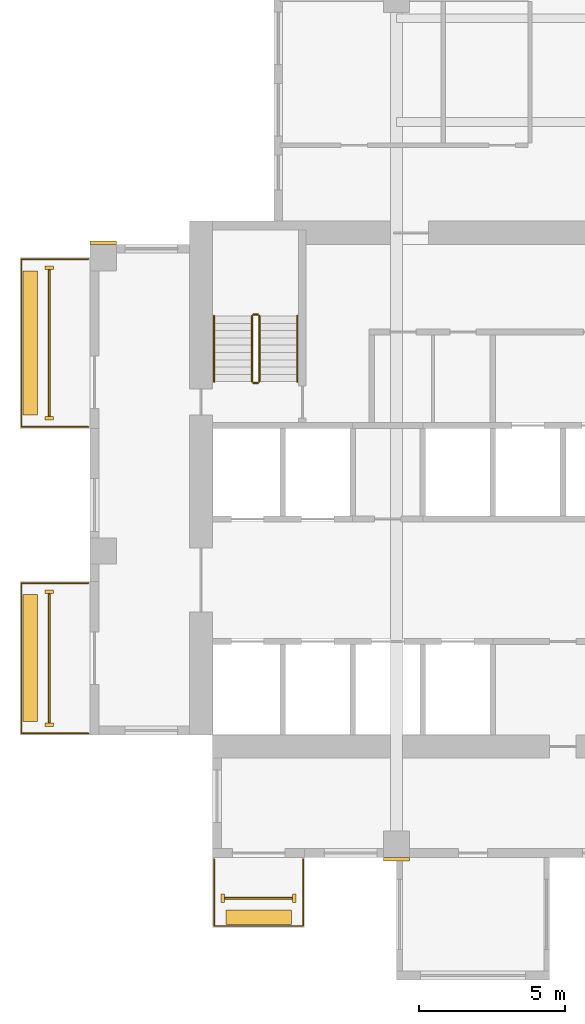
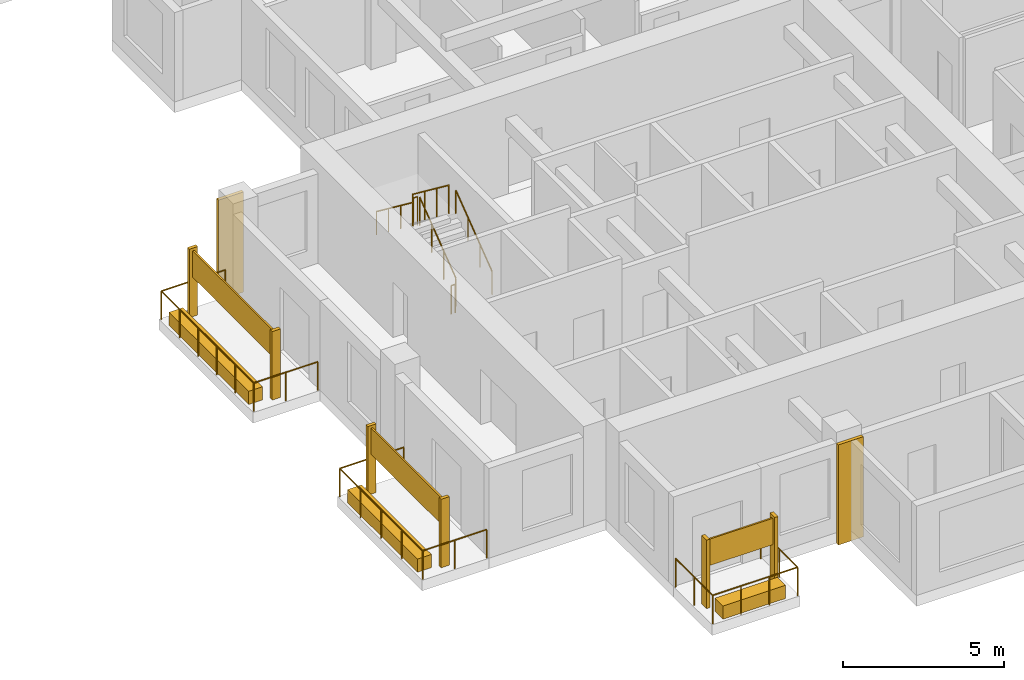
# One storey, part 9 of 11: 14 coverings, 9 railings.
"""IFC4 building model written with IfcOpenShell, lengths in metres."""

from ifc_helpers import new_model, si_unit, direction, frame, origin, origin_2d, place, context, subcontext, project, spatial, rectangle, circle, extrude, source, transform, mapped, material, type_object, element, save


model = new_model("IFC4")

# Units and contexts
model_context = context("Model", 3, precision=1e-05, world=origin(), true_north=direction((0.0, 1.0)))
body_context = subcontext(model_context, "Body", "Model", "MODEL_VIEW")
ifc_project = project(units=[si_unit("LENGTHUNIT", "METRE"), si_unit("AREAUNIT", "SQUARE_METRE"), si_unit("VOLUMEUNIT", "CUBIC_METRE"), si_unit("PLANEANGLEUNIT", "RADIAN"), si_unit("MASSUNIT", "GRAM", prefix="KILO")], contexts=[model_context])

# Site, building, storey
site_placement = place(None, origin())
site = spatial("IfcSite", under=ifc_project, at=site_placement, CompositionType="ELEMENT")
building_placement = place(site_placement, origin())
building = spatial("IfcBuilding", under=site, at=building_placement, Name="Aurelian Terraces", CompositionType="ELEMENT")
storey_placement = place(building_placement, frame((0.0, 0.0, 208.2)))
storey = spatial("IfcBuildingStorey", under=building, at=storey_placement, Name="L46", CompositionType="ELEMENT", Elevation=208.2)

# Railing
ifc_material_1 = material(Name="Anodised aluminium", Category="aluminium")
railing_type_1 = type_object("IfcRailingType", Name="GUARD-1100", PredefinedType="GUARDRAIL", material=ifc_material_1)
railing_1_placement = place(storey_placement, frame((-0.05, 20.5, 0.0)))
element("IfcRailing", 1, at=railing_1_placement, inside=storey, type_object=railing_type_1, Name="Balcony guard L46 F24.39", PredefinedType="GUARDRAIL", context=body_context, shape_type="SweptSolid", body=[
    extrude(circle(Radius=0.024, at=origin_2d()), frame((0.0, 0.0, 1.076), z_axis=(-1.0, 0.0, 0.0), x_axis=(0.0, -1.0, 0.0)), (0.0, 0.0, 1.0), 2.3),
    extrude(circle(Radius=0.024, at=origin_2d()), frame((-2.3, 0.0, 1.076), z_axis=(0.0, -1.0, 0.0), x_axis=(1.0, 0.0, 0.0)), (0.0, 0.0, 1.0), 5.75),
    extrude(circle(Radius=0.024, at=origin_2d()), frame((-2.3, -5.75, 1.076), z_axis=(1.0, 0.0, 0.0), x_axis=(0.0, 1.0, 0.0)), (0.0, 0.0, 1.0), 2.3),
    extrude(circle(Radius=0.021, at=origin_2d()), origin(), (0.0, 0.0, 1.0), 1.052),
    extrude(circle(Radius=0.021, at=origin_2d()), frame((-1.15, 0.0, 0.0)), (0.0, 0.0, 1.0), 1.052),
    extrude(circle(Radius=0.021, at=origin_2d()), frame((-2.3, 0.0, 0.0)), (0.0, 0.0, 1.0), 1.052),
    extrude(circle(Radius=0.021, at=origin_2d()), frame((-2.3, -1.15, 0.0)), (0.0, 0.0, 1.0), 1.052),
    extrude(circle(Radius=0.021, at=origin_2d()), frame((-2.3, -2.3, 0.0)), (0.0, 0.0, 1.0), 1.052),
    extrude(circle(Radius=0.021, at=origin_2d()), frame((-2.3, -3.45, 0.0)), (0.0, 0.0, 1.0), 1.052),
    extrude(circle(Radius=0.021, at=origin_2d()), frame((-2.3, -4.6, 0.0)), (0.0, 0.0, 1.0), 1.052),
    extrude(circle(Radius=0.021, at=origin_2d()), frame((-2.3, -5.75, 0.0)), (0.0, 0.0, 1.0), 1.052),
    extrude(circle(Radius=0.021, at=origin_2d()), frame((-1.15, -5.75, 0.0)), (0.0, 0.0, 1.0), 1.052),
    extrude(circle(Radius=0.021, at=origin_2d()), frame((0.0, -5.75, 0.0)), (0.0, 0.0, 1.0), 1.052),
])

# Coverings
ifc_material_2 = material(Name="Terracotta planter with planting soil", Category="masonry")
covering_type_1 = type_object("IfcCoveringType", Name="PLANTER-TROUGH", PredefinedType="USERDEFINED", material=ifc_material_2)
covering_1_placement = place(storey_placement, frame((-2.05, 17.625, 0.0), z_axis=(0.0, 0.0, 1.0), x_axis=(1.0, 0.0, 0.0)))
element("IfcCovering", 2, at=covering_1_placement, inside=storey, type_object=covering_type_1, Name="PLANTER L46 L46-F24-39", ObjectType="PLANTER", PredefinedType="USERDEFINED", context=body_context, shape_type="SweptSolid", body=[
    extrude(rectangle(XDim=0.5, YDim=4.95, at=origin_2d()), origin(), (0.0, 0.0, 1.0), 0.5),
])
ifc_material_3 = material(Name="Terracotta rainscreen cladding", Category="masonry")
covering_type_2 = type_object("IfcCoveringType", Name="SCREEN-TC", PredefinedType="CLADDING", material=ifc_material_3)
covering_2_placement = place(storey_placement, frame((-1.4, 17.625, 1.5), z_axis=(0.0, 0.0, 1.0), x_axis=(1.0, 0.0, 0.0)))
element("IfcCovering", 3, at=covering_2_placement, inside=storey, type_object=covering_type_2, Name="SCREEN L46 L46-F24-39", PredefinedType="CLADDING", context=body_context, shape_type="SweptSolid", body=[
    extrude(rectangle(XDim=0.06, YDim=5.03, at=origin_2d()), origin(), (0.0, 0.0, 1.0), 1.0),
])
ifc_material_4 = material(Name="Terracotta rainscreen cladding relief", Category="masonry")
covering_type_3 = type_object("IfcCoveringType", Name="FIN-TC", PredefinedType="CLADDING", material=ifc_material_4)
shared_shape_1 = source(origin(), body_context, "Body", "SweptSolid", [
    extrude(rectangle(XDim=0.3, YDim=0.12, at=origin_2d()), origin(), (0.0, 0.0, 1.0), 2.6),
])
for number, where, z_axis, x_axis, name in (
    (4, (-1.4, 20.2, 0.0), (0.0, 0.0, 1.0), (1.0, 0.0, 0.0), "FIN L46 L46-F24-39.1"),
    (5, (-1.4, 15.05, 0.0), (0.0, 0.0, 1.0), (1.0, 0.0, 0.0), "FIN L46 L46-F24-39.2"),
    (6, (-1.4, 9.1, 0.0), (0.0, 0.0, 1.0), (1.0, 0.0, 0.0), "FIN L46 L46-F24-41.1"),
    (7, (-1.4, 4.55, 0.0), (0.0, 0.0, 1.0), (1.0, 0.0, 0.0), "FIN L46 L46-F24-41.2"),
):
    element("IfcCovering", number, at=place(storey_placement, frame(where, z_axis=z_axis, x_axis=x_axis)), inside=storey, type_object=covering_type_3, Name=name, PredefinedType="CLADDING", context=body_context, shape_type="MappedRepresentation", body=[
        mapped(shared_shape_1, transform((0.0, 0.0, 0.0), scale=1.0)),
    ])
shared_shape_2 = source(origin(), body_context, "Body", "SweptSolid", [
    extrude(rectangle(XDim=0.12, YDim=0.3, at=origin_2d()), origin(), (0.0, 0.0, 1.0), 2.6),
])
for number, where, z_axis, x_axis, name in (
    (8, (4.55, -1.4, 0.0), (0.0, 0.0, 1.0), (1.0, 0.0, 0.0), "FIN L46 L46-F01-01.1"),
    (9, (7.0, -1.4, 0.0), (0.0, 0.0, 1.0), (1.0, 0.0, 0.0), "FIN L46 L46-F01-01.2"),
):
    element("IfcCovering", number, at=place(storey_placement, frame(where, z_axis=z_axis, x_axis=x_axis)), inside=storey, type_object=covering_type_3, Name=name, PredefinedType="CLADDING", context=body_context, shape_type="MappedRepresentation", body=[
        mapped(shared_shape_2, transform((0.0, 0.0, 0.0), scale=1.0)),
    ])

# Railing
shared_shape_3 = source(origin(), body_context, "Body", "SweptSolid", [
    extrude(circle(Radius=0.024, at=origin_2d()), frame((0.0, 0.0, 1.076), z_axis=(-1.0, 0.0, 0.0), x_axis=(0.0, -1.0, 0.0)), (0.0, 0.0, 1.0), 2.3),
    extrude(circle(Radius=0.024, at=origin_2d()), frame((-2.3, 0.0, 1.076), z_axis=(0.0, -1.0, 0.0), x_axis=(1.0, 0.0, 0.0)), (0.0, 0.0, 1.0), 5.15),
    extrude(circle(Radius=0.024, at=origin_2d()), frame((-2.3, -5.15, 1.076), z_axis=(1.0, 0.0, 0.0), x_axis=(0.0, 1.0, 0.0)), (0.0, 0.0, 1.0), 2.3),
    extrude(circle(Radius=0.021, at=origin_2d()), origin(), (0.0, 0.0, 1.0), 1.052),
    extrude(circle(Radius=0.021, at=origin_2d()), frame((-1.15, 0.0, 0.0)), (0.0, 0.0, 1.0), 1.052),
    extrude(circle(Radius=0.021, at=origin_2d()), frame((-2.3, 0.0, 0.0)), (0.0, 0.0, 1.0), 1.052),
    extrude(circle(Radius=0.021, at=origin_2d()), frame((-2.3, -1.2875, 0.0)), (0.0, 0.0, 1.0), 1.052),
    extrude(circle(Radius=0.021, at=origin_2d()), frame((-2.3, -2.575, 0.0)), (0.0, 0.0, 1.0), 1.052),
    extrude(circle(Radius=0.021, at=origin_2d()), frame((-2.3, -3.8625, 0.0)), (0.0, 0.0, 1.0), 1.052),
    extrude(circle(Radius=0.021, at=origin_2d()), frame((-2.3, -5.15, 0.0)), (0.0, 0.0, 1.0), 1.052),
    extrude(circle(Radius=0.021, at=origin_2d()), frame((-1.15, -5.15, 0.0)), (0.0, 0.0, 1.0), 1.052),
    extrude(circle(Radius=0.021, at=origin_2d()), frame((0.0, -5.15, 0.0)), (0.0, 0.0, 1.0), 1.052),
])
railing_2_placement = place(storey_placement, frame((-0.05, 9.4, 0.0)))
element("IfcRailing", 10, at=railing_2_placement, inside=storey, type_object=railing_type_1, Name="Balcony guard L46 F24.41", PredefinedType="GUARDRAIL", context=body_context, shape_type="MappedRepresentation", body=[
    mapped(shared_shape_3, transform((0.0, 0.0, 0.0), scale=1.0)),
])

# Coverings
shared_shape_4 = source(origin(), body_context, "Body", "SweptSolid", [
    extrude(rectangle(XDim=0.5, YDim=4.35, at=origin_2d()), origin(), (0.0, 0.0, 1.0), 0.5),
])
covering_3_placement = place(storey_placement, frame((-2.05, 6.825, 0.0), z_axis=(0.0, 0.0, 1.0), x_axis=(1.0, 0.0, 0.0)))
element("IfcCovering", 11, at=covering_3_placement, inside=storey, type_object=covering_type_1, Name="PLANTER L46 L46-F24-41", ObjectType="PLANTER", PredefinedType="USERDEFINED", context=body_context, shape_type="MappedRepresentation", body=[
    mapped(shared_shape_4, transform((0.0, 0.0, 0.0), scale=1.0)),
])
shared_shape_5 = source(origin(), body_context, "Body", "SweptSolid", [
    extrude(rectangle(XDim=0.06, YDim=4.43, at=origin_2d()), origin(), (0.0, 0.0, 1.0), 1.0),
])
covering_4_placement = place(storey_placement, frame((-1.4, 6.825, 1.5), z_axis=(0.0, 0.0, 1.0), x_axis=(1.0, 0.0, 0.0)))
element("IfcCovering", 12, at=covering_4_placement, inside=storey, type_object=covering_type_2, Name="SCREEN L46 L46-F24-41", PredefinedType="CLADDING", context=body_context, shape_type="MappedRepresentation", body=[
    mapped(shared_shape_5, transform((0.0, 0.0, 0.0), scale=1.0)),
])
covering_type_4 = type_object("IfcCoveringType", Name="BAGUETTE-TC", PredefinedType="CLADDING", material=ifc_material_4)
shared_shape_6 = source(origin(), body_context, "Body", "SweptSolid", [
    extrude(rectangle(XDim=0.9, YDim=0.12, at=origin_2d()), origin(), (0.0, 0.0, 1.0), 3.8),
])
for number, where, z_axis, x_axis, name in (
    (13, (10.5, -0.06, -0.4), (0.0, 0.0, 1.0), (1.0, 0.0, 0.0), "BAGUETTE pier L46 1"),
    (14, (0.45, 21.06, -0.4), (0.0, 0.0, 1.0), (1.0, 0.0, 0.0), "BAGUETTE pier L46 4"),
):
    element("IfcCovering", number, at=place(storey_placement, frame(where, z_axis=z_axis, x_axis=x_axis)), inside=storey, type_object=covering_type_4, Name=name, PredefinedType="CLADDING", context=body_context, shape_type="MappedRepresentation", body=[
        mapped(shared_shape_6, transform((0.0, 0.0, 0.0), scale=1.0)),
    ])

# Railing
shared_shape_7 = source(origin(), body_context, "Body", "SweptSolid", [
    extrude(circle(Radius=0.024, at=origin_2d()), frame((0.0, 0.0, 1.076), z_axis=(0.0, -1.0, 0.0), x_axis=(1.0, 0.0, 0.0)), (0.0, 0.0, 1.0), 2.3),
    extrude(circle(Radius=0.024, at=origin_2d()), frame((0.0, -2.3, 1.076), z_axis=(1.0, 0.0, 0.0), x_axis=(0.0, 1.0, 0.0)), (0.0, 0.0, 1.0), 3.05),
    extrude(circle(Radius=0.024, at=origin_2d()), frame((3.05, -2.3, 1.076), z_axis=(0.0, 1.0, 0.0), x_axis=(-1.0, 0.0, 0.0)), (0.0, 0.0, 1.0), 2.3),
    extrude(circle(Radius=0.021, at=origin_2d()), origin(), (0.0, 0.0, 1.0), 1.052),
    extrude(circle(Radius=0.021, at=origin_2d()), frame((0.0, -1.15, 0.0)), (0.0, 0.0, 1.0), 1.052),
    extrude(circle(Radius=0.021, at=origin_2d()), frame((0.0, -2.3, 0.0)), (0.0, 0.0, 1.0), 1.052),
    extrude(circle(Radius=0.021, at=origin_2d()), frame((1.0167, -2.3, 0.0)), (0.0, 0.0, 1.0), 1.052),
    extrude(circle(Radius=0.021, at=origin_2d()), frame((2.0333, -2.3, 0.0)), (0.0, 0.0, 1.0), 1.052),
    extrude(circle(Radius=0.021, at=origin_2d()), frame((3.05, -2.3, 0.0)), (0.0, 0.0, 1.0), 1.052),
    extrude(circle(Radius=0.021, at=origin_2d()), frame((3.05, -1.15, 0.0)), (0.0, 0.0, 1.0), 1.052),
    extrude(circle(Radius=0.021, at=origin_2d()), frame((3.05, 0.0, 0.0)), (0.0, 0.0, 1.0), 1.052),
])
railing_3_placement = place(storey_placement, frame((4.25, -0.05, 0.0)))
element("IfcRailing", 15, at=railing_3_placement, inside=storey, type_object=railing_type_1, Name="Balcony guard L46 F01.1", PredefinedType="GUARDRAIL", context=body_context, shape_type="MappedRepresentation", body=[
    mapped(shared_shape_7, transform((0.0, 0.0, 0.0), scale=1.0)),
])

# Coverings
shared_shape_8 = source(origin(), body_context, "Body", "SweptSolid", [
    extrude(rectangle(XDim=2.25, YDim=0.5, at=origin_2d()), origin(), (0.0, 0.0, 1.0), 0.5),
])
covering_5_placement = place(storey_placement, frame((5.775, -2.05, 0.0), z_axis=(0.0, 0.0, 1.0), x_axis=(1.0, 0.0, 0.0)))
element("IfcCovering", 16, at=covering_5_placement, inside=storey, type_object=covering_type_1, Name="PLANTER L46 L46-F01-01", ObjectType="PLANTER", PredefinedType="USERDEFINED", context=body_context, shape_type="MappedRepresentation", body=[
    mapped(shared_shape_8, transform((0.0, 0.0, 0.0), scale=1.0)),
])
shared_shape_9 = source(origin(), body_context, "Body", "SweptSolid", [
    extrude(rectangle(XDim=2.33, YDim=0.06, at=origin_2d()), origin(), (0.0, 0.0, 1.0), 1.0),
])
covering_6_placement = place(storey_placement, frame((5.775, -1.4, 1.5), z_axis=(0.0, 0.0, 1.0), x_axis=(1.0, 0.0, 0.0)))
element("IfcCovering", 17, at=covering_6_placement, inside=storey, type_object=covering_type_2, Name="SCREEN L46 L46-F01-01", PredefinedType="CLADDING", context=body_context, shape_type="MappedRepresentation", body=[
    mapped(shared_shape_9, transform((0.0, 0.0, 0.0), scale=1.0)),
])

# Railings
ifc_material_5 = material(Name="Stainless steel", Category="steel")
railing_type_2 = type_object("IfcRailingType", Name="Stair guard 1100", PredefinedType="GUARDRAIL", material=ifc_material_5)
shared_shape_10 = source(origin(), body_context, "Body", "SweptSolid", [
    extrude(circle(Radius=0.024, at=origin_2d()), frame((0.0, 0.0, 1.076), z_axis=(-1.0, 0.0, 0.0), x_axis=(0.0, -1.0, 0.0)), (0.0, 0.0, 1.0), 0.15),
    extrude(circle(Radius=0.021, at=origin_2d()), origin(), (0.0, 0.0, 1.0), 1.052),
    extrude(circle(Radius=0.021, at=origin_2d()), frame((-0.15, 0.0, 0.0)), (0.0, 0.0, 1.0), 1.052),
])
for number, where, name in (
    (18, (5.75, 18.6, 1.9), "L46 S1 stair guard 2"),
    (19, (5.75, 16.25, 0.0), "L46 S1 stair guard 4"),
):
    element("IfcRailing", number, at=place(storey_placement, frame(where)), inside=storey, type_object=railing_type_2, Name=name, PredefinedType="GUARDRAIL", context=body_context, shape_type="MappedRepresentation", body=[
        mapped(shared_shape_10, transform((0.0, 0.0, 0.0), scale=1.0)),
    ])
shared_shape_11 = source(origin(), body_context, "Body", "SweptSolid", [
    extrude(circle(Radius=0.024, at=origin_2d()), frame((0.0, 0.0, 1.076), z_axis=(0.0, 0.796162194123, 0.605083267534), x_axis=(-1.0, 0.0, 0.0)), (0.0, 0.0, 1.0), 2.8261),
    extrude(circle(Radius=0.021, at=origin_2d()), origin(), (0.0, 0.0, 1.0), 1.052),
    extrude(circle(Radius=0.021, at=origin_2d()), frame((0.0, 0.75, 0.57)), (0.0, 0.0, 1.0), 1.052),
    extrude(circle(Radius=0.021, at=origin_2d()), frame((0.0, 1.5, 1.14)), (0.0, 0.0, 1.0), 1.052),
    extrude(circle(Radius=0.021, at=origin_2d()), frame((0.0, 2.25, 1.71)), (0.0, 0.0, 1.0), 1.052),
])
railing_4_placement = place(storey_placement, frame((5.8, 16.3, 0.19)))
element("IfcRailing", 20, at=railing_4_placement, inside=storey, type_object=railing_type_2, Name="L46 S1 stair guard 1", PredefinedType="GUARDRAIL", context=body_context, shape_type="MappedRepresentation", body=[
    mapped(shared_shape_11, transform((0.0, 0.0, 0.0), scale=1.0)),
])
shared_shape_12 = source(origin(), body_context, "Body", "SweptSolid", [
    extrude(circle(Radius=0.024, at=origin_2d()), frame((0.0, 0.0, 1.076), z_axis=(0.0, -0.796162194123, 0.605083267534), x_axis=(1.0, 0.0, 0.0)), (0.0, 0.0, 1.0), 2.8261),
    extrude(circle(Radius=0.021, at=origin_2d()), origin(), (0.0, 0.0, 1.0), 1.052),
    extrude(circle(Radius=0.021, at=origin_2d()), frame((0.0, -0.75, 0.57)), (0.0, 0.0, 1.0), 1.052),
    extrude(circle(Radius=0.021, at=origin_2d()), frame((0.0, -1.5, 1.14)), (0.0, 0.0, 1.0), 1.052),
    extrude(circle(Radius=0.021, at=origin_2d()), frame((0.0, -2.25, 1.71)), (0.0, 0.0, 1.0), 1.052),
])
railing_5_placement = place(storey_placement, frame((5.55, 18.55, 2.09)))
element("IfcRailing", 21, at=railing_5_placement, inside=storey, type_object=railing_type_2, Name="L46 S1 stair guard 3", PredefinedType="GUARDRAIL", context=body_context, shape_type="MappedRepresentation", body=[
    mapped(shared_shape_12, transform((0.0, 0.0, 0.0), scale=1.0)),
])
railing_type_3 = type_object("IfcRailingType", Name="Stair handrail", PredefinedType="HANDRAIL", material=ifc_material_5)
shared_shape_13 = source(origin(), body_context, "Body", "SweptSolid", [
    extrude(circle(Radius=0.024, at=origin_2d()), frame((0.0, 0.0, 0.876), z_axis=(0.0, 0.796162194123, 0.605083267534), x_axis=(-1.0, 0.0, 0.0)), (0.0, 0.0, 1.0), 2.8261),
    extrude(circle(Radius=0.021, at=origin_2d()), origin(), (0.0, 0.0, 1.0), 0.852),
    extrude(circle(Radius=0.021, at=origin_2d()), frame((0.0, 0.75, 0.57)), (0.0, 0.0, 1.0), 0.852),
    extrude(circle(Radius=0.021, at=origin_2d()), frame((0.0, 1.5, 1.14)), (0.0, 0.0, 1.0), 0.852),
    extrude(circle(Radius=0.021, at=origin_2d()), frame((0.0, 2.25, 1.71)), (0.0, 0.0, 1.0), 0.852),
])
railing_6_placement = place(storey_placement, frame((7.1, 16.3, 0.19)))
element("IfcRailing", 22, at=railing_6_placement, inside=storey, type_object=railing_type_3, Name="L46 S1 stair handrail 1", PredefinedType="HANDRAIL", context=body_context, shape_type="MappedRepresentation", body=[
    mapped(shared_shape_13, transform((0.0, 0.0, 0.0), scale=1.0)),
])
shared_shape_14 = source(origin(), body_context, "Body", "SweptSolid", [
    extrude(circle(Radius=0.024, at=origin_2d()), frame((0.0, 0.0, 0.876), z_axis=(0.0, -0.796162194123, 0.605083267534), x_axis=(1.0, 0.0, 0.0)), (0.0, 0.0, 1.0), 2.8261),
    extrude(circle(Radius=0.021, at=origin_2d()), origin(), (0.0, 0.0, 1.0), 0.852),
    extrude(circle(Radius=0.021, at=origin_2d()), frame((0.0, -0.75, 0.57)), (0.0, 0.0, 1.0), 0.852),
    extrude(circle(Radius=0.021, at=origin_2d()), frame((0.0, -1.5, 1.14)), (0.0, 0.0, 1.0), 0.852),
    extrude(circle(Radius=0.021, at=origin_2d()), frame((0.0, -2.25, 1.71)), (0.0, 0.0, 1.0), 0.852),
])
railing_7_placement = place(storey_placement, frame((4.25, 18.55, 2.09)))
element("IfcRailing", 23, at=railing_7_placement, inside=storey, type_object=railing_type_3, Name="L46 S1 stair handrail 2", PredefinedType="HANDRAIL", context=body_context, shape_type="MappedRepresentation", body=[
    mapped(shared_shape_14, transform((0.0, 0.0, 0.0), scale=1.0)),
])

save(model, "model.ifc")
